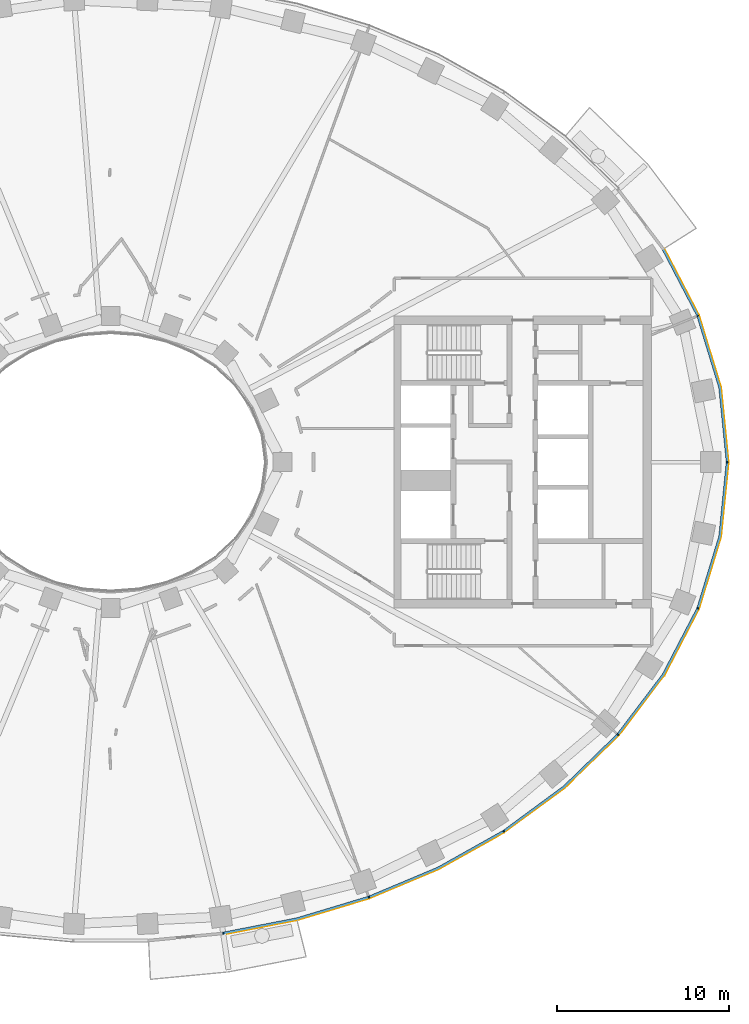
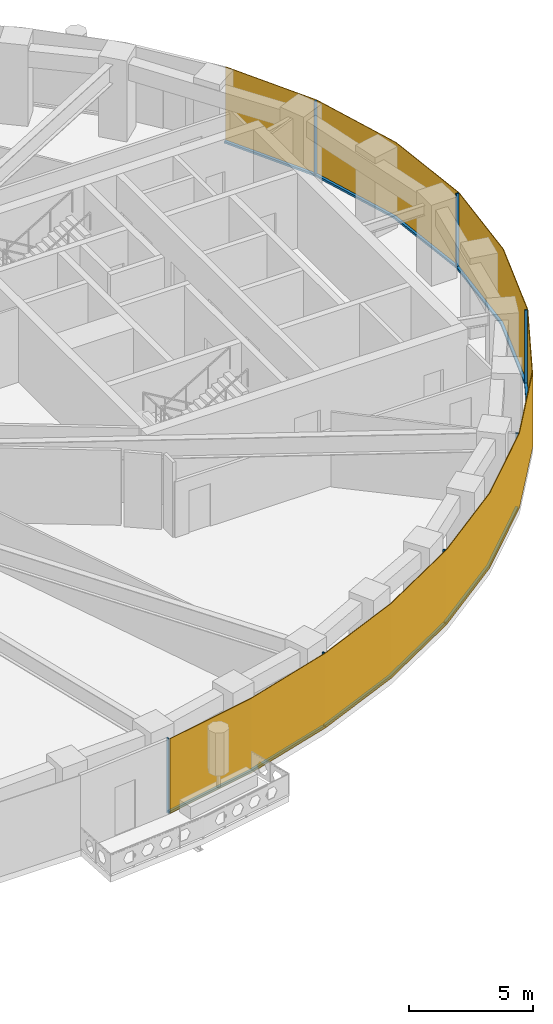
# One storey, part 10 of 16: 14 members, 1 curtain wall.
"""IFC4 building model written with IfcOpenShell, lengths in metres."""

from ifc_helpers import new_model, si_unit, direction, frame, origin, origin_2d, place, context, subcontext, project, spatial, polyline, rectangle, outline, extrude, material, layer, layer_set, material_profile, profile_set, type_object, element, aggregate, save


model = new_model("IFC4")

# Units and contexts
model_context = context("Model", 3, precision=1e-05, world=origin(), true_north=direction((0.0, 1.0)))
body_context = subcontext(model_context, "Body", "Model", "MODEL_VIEW")
ifc_project = project(units=[si_unit("LENGTHUNIT", "METRE"), si_unit("AREAUNIT", "SQUARE_METRE"), si_unit("VOLUMEUNIT", "CUBIC_METRE"), si_unit("PLANEANGLEUNIT", "RADIAN"), si_unit("MASSUNIT", "GRAM", prefix="KILO")], contexts=[model_context])

# Member
ifc_material_1 = material(Name="Aluminium 6063-T6 black anodised", Category="aluminium")
ifc_material_profile = material_profile(ifc_material_1, rectangle(XDim=0.1201171875, YDim=0.06005859375, at=origin_2d()), Name="120x60")
ifc_profile_set = profile_set([ifc_material_profile], Name="Aluminium 6063-T6 black anodised")
member_type_1 = type_object("IfcMemberType", Name="ENV-MULLION-A-120", PredefinedType="MULLION", material=ifc_profile_set)
site_placement = place(None, origin())
building_placement = place(site_placement, origin())
storey_placement = place(building_placement, frame((0.0, 0.0, 150.0)))
member_1_placement = place(storey_placement, frame((6.54638671875, -27.440185546875, 0.0), z_axis=(0.0, 0.0, 1.0), x_axis=(-0.143082012705, 0.989710835366, 0.0)))
member_1 = element("IfcMember", 1, at=member_1_placement, type_object=member_type_1, Name="Mullion A radial 37", PredefinedType="MULLION", context=body_context, shape_type="SweptSolid", body=[
    extrude(rectangle(XDim=0.1201171875, YDim=0.06005859375, at=origin_2d()), origin(), (0.0, 0.0, 1.0), 3.699951171875),
])

member_2_placement = place(storey_placement, frame((15.0341796875, -25.34375, 0.0), z_axis=(0.0, 0.0, 1.0), x_axis=(-0.338379256581, 0.941009818608, 0.0)))
member_2 = element("IfcMember", 2, at=member_2_placement, type_object=member_type_1, Name="Mullion A radial 39", PredefinedType="MULLION", context=body_context, shape_type="SweptSolid", body=[
    extrude(rectangle(XDim=0.1201171875, YDim=0.06005859375, at=origin_2d()), origin(), (0.0, 0.0, 1.0), 3.699951171875),
])

member_3_placement = place(storey_placement, frame((22.882568359375, -21.506591796875, 0.0), z_axis=(0.0, 0.0, 1.0), x_axis=(-0.542279153225, 0.840198381323, 0.0)))
member_3 = element("IfcMember", 3, at=member_3_placement, type_object=member_type_1, Name="Mullion A radial 41", PredefinedType="MULLION", context=body_context, shape_type="SweptSolid", body=[
    extrude(rectangle(XDim=0.1201171875, YDim=0.06005859375, at=origin_2d()), origin(), (0.0, 0.0, 1.0), 3.699951171875),
])

member_4_placement = place(storey_placement, frame((29.53857421875, -15.8671875, 0.0), z_axis=(0.0, 0.0, 1.0), x_axis=(-0.749047221705, 0.662516610853, 0.0)))
member_4 = element("IfcMember", 4, at=member_4_placement, type_object=member_type_1, Name="Mullion A radial 43", PredefinedType="MULLION", context=body_context, shape_type="SweptSolid", body=[
    extrude(rectangle(XDim=0.1201171875, YDim=0.06005859375, at=origin_2d()), origin(), (0.0, 0.0, 1.0), 3.699951171875),
])

member_5_placement = place(storey_placement, frame((34.19580078125, -8.513916015625, 0.0), z_axis=(0.0, 0.0, 1.0), x_axis=(-0.92546738067, 0.378827305398, 0.0)))
member_5 = element("IfcMember", 5, at=member_5_placement, type_object=member_type_1, Name="Mullion A radial 45", PredefinedType="MULLION", context=body_context, shape_type="SweptSolid", body=[
    extrude(rectangle(XDim=0.1201171875, YDim=0.06005859375, at=origin_2d()), origin(), (0.0, 0.0, 1.0), 3.699951171875),
])

member_6_placement = place(storey_placement, frame((35.907958984375, 0.0, 0.0), z_axis=(0.0, 0.0, 1.0), x_axis=(-1.0, 0.0, 0.0)))
member_6 = element("IfcMember", 6, at=member_6_placement, type_object=member_type_1, Name="Mullion A radial 01", PredefinedType="MULLION", context=body_context, shape_type="SweptSolid", body=[
    extrude(rectangle(XDim=0.1201171875, YDim=0.06005859375, at=origin_2d()), origin(), (0.0, 0.0, 1.0), 3.699951171875),
])

member_7_placement = place(storey_placement, frame((34.19580078125, 8.513916015625, 0.0), z_axis=(0.0, 0.0, 1.0), x_axis=(-0.92546738067, -0.378827305398, 0.0)))
member_7 = element("IfcMember", 7, at=member_7_placement, type_object=member_type_1, Name="Mullion A radial 03", PredefinedType="MULLION", context=body_context, shape_type="SweptSolid", body=[
    extrude(rectangle(XDim=0.1201171875, YDim=0.06005859375, at=origin_2d()), origin(), (0.0, 0.0, 1.0), 3.699951171875),
])

ifc_material_2 = material(Name="Aluminium 6063-T6 black anodised", Category="aluminium")
member_type_2 = type_object("IfcMemberType", Name="ENV-TRANSOM-A", PredefinedType="USERDEFINED", material=ifc_material_2)
member_8_placement = place(storey_placement, origin())
member_8 = element("IfcMember", 8, at=member_8_placement, type_object=member_type_2, Name="Transom A radial 37-39", ObjectType="TRANSOM", PredefinedType="USERDEFINED", context=body_context, shape_type="SweptSolid", body=[
    extrude(outline(polyline([(6.58251953125, -27.494140625), (10.857666015625, -26.6630859375), (15.027587890625, -25.408203125), (14.987060546875, -25.295166015625), (10.828857421875, -26.54638671875), (6.5654296875, -27.375244140625), (6.58251953125, -27.494140625)])), origin(), (0.0, 0.0, 1.0), 0.10009765625),
])

member_9_placement = place(storey_placement, origin())
member_9 = element("IfcMember", 9, at=member_9_placement, type_object=member_type_2, Name="Transom A radial 39-41", ObjectType="TRANSOM", PredefinedType="USERDEFINED", context=body_context, shape_type="SweptSolid", body=[
    extrude(outline(polyline([(15.080322265625, -25.389404296875), (19.093994140625, -23.701416015625), (22.890625, -21.570556640625), (22.825439453125, -21.469482421875), (19.041259765625, -23.593505859375), (15.03955078125, -25.276123046875), (15.080322265625, -25.389404296875)])), origin(), (0.0, 0.0, 1.0), 0.10009765625),
])

member_10_placement = place(storey_placement, origin())
member_10 = element("IfcMember", 10, at=member_10_placement, type_object=member_type_2, Name="Transom A radial 41-43", ObjectType="TRANSOM", PredefinedType="USERDEFINED", context=body_context, shape_type="SweptSolid", body=[
    extrude(outline(polyline([(22.937744140625, -21.540283203125), (26.4423828125, -18.958740234375), (29.5634765625, -15.926513671875), (29.473388671875, -15.8466796875), (26.364501953125, -18.866943359375), (22.87255859375, -21.439208984375), (22.937744140625, -21.540283203125)])), origin(), (0.0, 0.0, 1.0), 0.10009765625),
])

member_11_placement = place(storey_placement, origin())
member_11 = element("IfcMember", 11, at=member_11_placement, type_object=member_type_2, Name="Transom A radial 43-45", ObjectType="TRANSOM", PredefinedType="USERDEFINED", context=body_context, shape_type="SweptSolid", body=[
    extrude(outline(polyline([(29.6005859375, -15.884521484375), (32.22802734375, -12.41748046875), (34.23828125, -8.5615234375), (34.126708984375, -8.515869140625), (32.126220703125, -12.35302734375), (29.51025390625, -15.8046875), (29.6005859375, -15.884521484375)])), origin(), (0.0, 0.0, 1.0), 0.10009765625),
])

member_12_placement = place(storey_placement, origin())
member_12 = element("IfcMember", 12, at=member_12_placement, type_object=member_type_2, Name="Transom A radial 45-01", ObjectType="TRANSOM", PredefinedType="USERDEFINED", context=body_context, shape_type="SweptSolid", body=[
    extrude(outline(polyline([(34.259521484375, -8.509765625), (35.529541015625, -4.352294921875), (35.965087890625, -0.02783203125), (35.844482421875, -0.02783203125), (35.411376953125, -4.32861328125), (34.14794921875, -8.464111328125), (34.259521484375, -8.509765625)])), origin(), (0.0, 0.0, 1.0), 0.10009765625),
])

member_13_placement = place(storey_placement, origin())
member_13 = element("IfcMember", 13, at=member_13_placement, type_object=member_type_2, Name="Transom A radial 01-03", ObjectType="TRANSOM", PredefinedType="USERDEFINED", context=body_context, shape_type="SweptSolid", body=[
    extrude(outline(polyline([(35.965087890625, 0.02783203125), (35.529541015625, 4.352294921875), (34.259521484375, 8.509765625), (34.14794921875, 8.464111328125), (35.411376953125, 4.32861328125), (35.844482421875, 0.02783203125), (35.965087890625, 0.02783203125)])), origin(), (0.0, 0.0, 1.0), 0.10009765625),
])

member_14_placement = place(storey_placement, origin())
member_14 = element("IfcMember", 14, at=member_14_placement, type_object=member_type_2, Name="Transom A radial 03-04", ObjectType="TRANSOM", PredefinedType="USERDEFINED", context=body_context, shape_type="SweptSolid", body=[
    extrude(outline(polyline([(34.23828125, 8.5615234375), (32.2373046875, 12.39990234375), (32.135498046875, 12.33544921875), (34.126708984375, 8.515869140625), (34.23828125, 8.5615234375)])), origin(), (0.0, 0.0, 1.0), 0.10009765625),
])

# Site, building, storey
site = spatial("IfcSite", under=ifc_project, at=site_placement, CompositionType="ELEMENT")
building = spatial("IfcBuilding", under=site, at=building_placement, Name="Noorbagh Ring Tower", CompositionType="ELEMENT")
storey = spatial("IfcBuildingStorey", under=building, at=storey_placement, Name="L34", CompositionType="ELEMENT", Elevation=150.0)

# Curtain wall
ifc_material_3 = material(Name="Glass dark tinted laminated", Category="glass")
ifc_layer = layer(ifc_material_3, 0.031982421875)
ifc_layer_set = layer_set([ifc_layer], Name="Glass dark tinted laminated")
curtain_wall_type = type_object("IfcCurtainWallType", Name="ENV-CW-A", PredefinedType="NOTDEFINED", material=ifc_layer_set)
curtain_wall_placement = place(storey_placement, origin())
curtain_wall = element("IfcCurtainWall", 15, at=curtain_wall_placement, inside=storey, type_object=curtain_wall_type, Name="Curtain wall A R37", PredefinedType="NOTDEFINED", context=body_context, shape_type="SweptSolid", body=[
    extrude(outline(polyline([(6.579345703125, -27.52734375), (10.865234375, -26.6943359375), (15.065185546875, -25.430419921875), (19.108154296875, -23.730224609375), (22.9326171875, -21.583740234375), (26.463134765625, -18.9833984375), (29.607666015625, -15.927978515625), (32.255126953125, -12.434814453125), (34.281005859375, -8.548828125), (35.561279296875, -4.358642578125), (36.0, 0.0), (35.561279296875, 4.358642578125), (34.281005859375, 8.548828125), (32.264404296875, 12.4169921875), (32.2373046875, 12.39990234375), (34.251220703125, 8.53662109375), (35.529541015625, 4.352294921875), (35.9677734375, 0.0), (35.529541015625, -4.352294921875), (34.251220703125, -8.53662109375), (32.22802734375, -12.41748046875), (29.58349609375, -15.906982421875), (26.4423828125, -18.958740234375), (22.9150390625, -21.556884765625), (19.093994140625, -23.701416015625), (15.054443359375, -25.400146484375), (10.857666015625, -26.6630859375), (6.57470703125, -27.49560546875), (6.579345703125, -27.52734375)])), origin(), (0.0, 0.0, 1.0), 3.699951171875),
])

aggregate(curtain_wall, [member_1, member_2, member_3, member_4, member_5, member_6, member_7, member_8, member_9, member_10, member_11, member_12, member_13, member_14])

save(model, "model.ifc")
